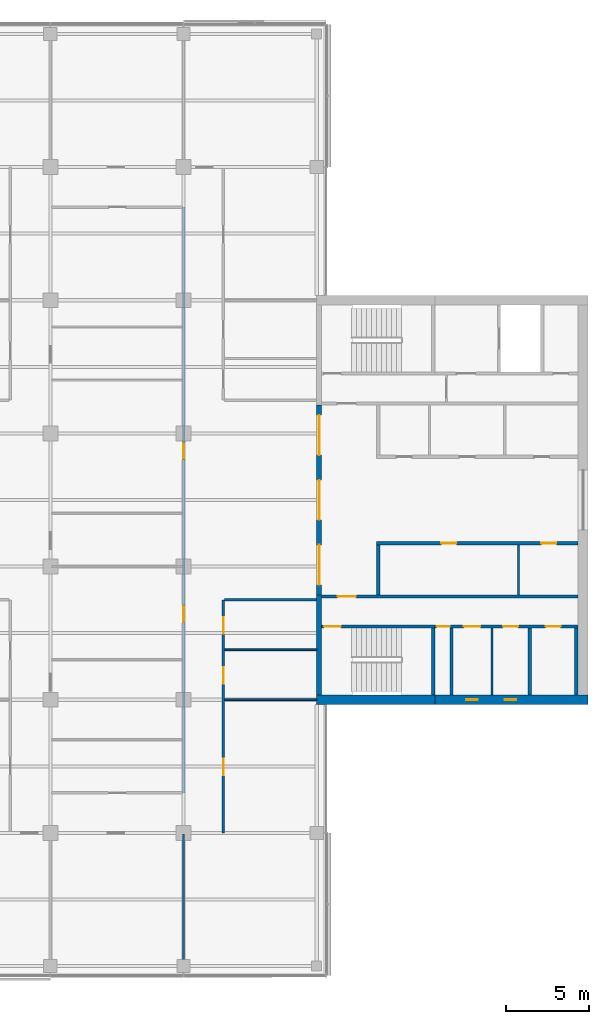
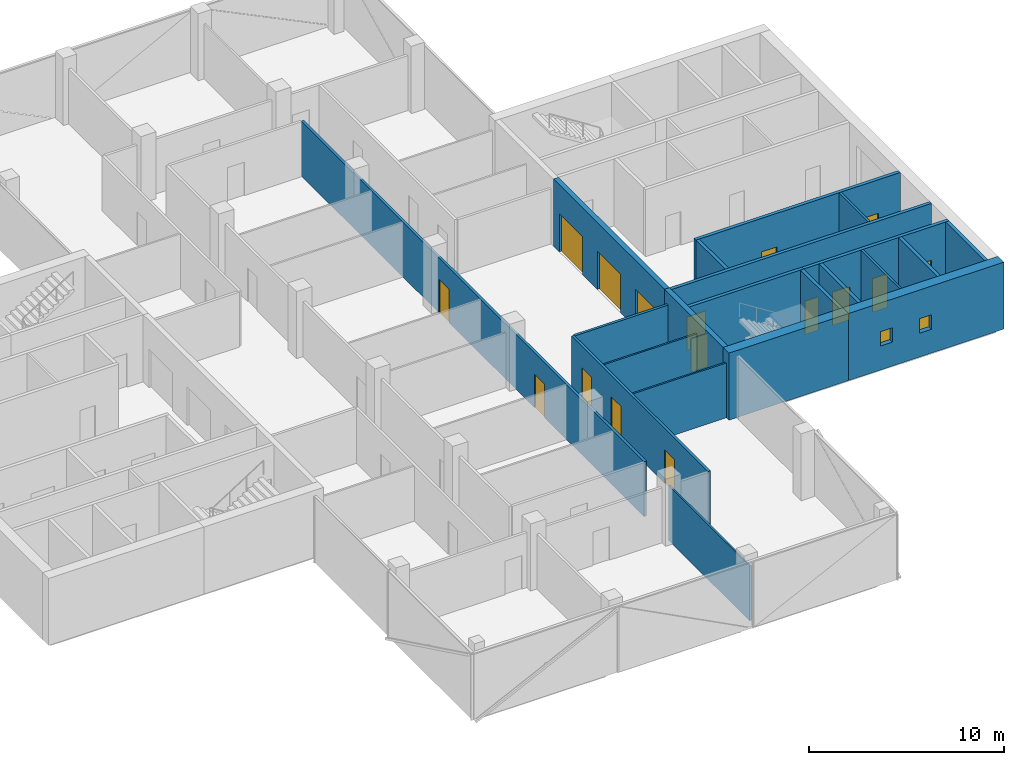
# One storey, part 10 of 15: 21 walls, 16 doors, 2 windows, 18 openings.
"""IFC4 building model written with IfcOpenShell, lengths in metres."""

from ifc_helpers import new_model, si_unit, direction, frame, frame_2d, origin, place, context, subcontext, project, spatial, rectangle, extrude, material, layer, layer_set, constituent, constituent_set, type_object, element, fill, save


model = new_model("IFC4")

# Units and contexts
model_context = context("Model", 3, precision=1e-05, world=origin(), true_north=direction((0.0, 1.0)))
body_context = subcontext(model_context, "Body", "Model", "MODEL_VIEW")
ifc_project = project(units=[si_unit("LENGTHUNIT", "METRE"), si_unit("AREAUNIT", "SQUARE_METRE"), si_unit("VOLUMEUNIT", "CUBIC_METRE"), si_unit("PLANEANGLEUNIT", "RADIAN"), si_unit("MASSUNIT", "GRAM", prefix="KILO")], contexts=[model_context])

# Site, building, storey
site_placement = place(None, origin())
site = spatial("IfcSite", under=ifc_project, at=site_placement, CompositionType="ELEMENT")
building_placement = place(site_placement, origin())
building = spatial("IfcBuilding", under=site, at=building_placement, Name="Crosswind Convention Tower", CompositionType="ELEMENT")
storey_placement = place(building_placement, frame((0.0, 0.0, 199.89990234375)))
storey = spatial("IfcBuildingStorey", under=building, at=storey_placement, Name="L42", CompositionType="ELEMENT", Elevation=199.89990234375)

# Wall
ifc_material_1 = material(Name="Concrete blockwork", Category="masonry")
ifc_layer_1 = layer(ifc_material_1, 0.199951171875)
ifc_layer_set_1 = layer_set([ifc_layer_1], Name="Blockwork partition wall 200")
wall_type_1 = type_object("IfcWallType", Name="Blockwork partition wall 200", PredefinedType="PARTITIONING", material=ifc_layer_set_1)
wall_1_placement = place(storey_placement, frame((145.10009765625, 88.300048828125, 0.0), z_axis=(0.0, 0.0, 1.0), x_axis=(0.0, 1.0, 0.0)))
element("IfcWall", 1, at=wall_1_placement, inside=storey, type_object=wall_type_1, Name="Wall MRSE E L42", PredefinedType="PARTITIONING", context=body_context, shape_type="SweptSolid", body=[
    extrude(rectangle(XDim=4.0, YDim=0.199951171875, at=frame_2d((2.0, 0.0))), origin(), (0.0, 0.0, 1.0), 4.2001953125),
])

# Wall, openings, doors
ifc_material_2 = material(Name="Concrete C50/60", Category="concrete")
ifc_layer_2 = layer(ifc_material_2, 0.300048828125)
ifc_layer_set_2 = layer_set([ifc_layer_2], Name="Concrete C50/60")
wall_type_2 = type_object("IfcWallType", Name="Concrete inner core wall 300", PredefinedType="SHEAR", material=ifc_layer_set_2)
wall_2_placement = place(storey_placement, frame((137.14990234375, 94.300048828125, 0.0), z_axis=(0.0, 0.0, 1.0), x_axis=(0.0, 1.0, 0.0)))
wall_2 = element("IfcWall", 2, at=wall_2_placement, inside=storey, type_object=wall_type_2, Name="Wall SCR E L42", PredefinedType="SHEAR", context=body_context, shape_type="SweptSolid", body=[
    extrude(rectangle(XDim=11.39990234375, YDim=0.300048828125, at=frame_2d((5.699951171875, 0.0))), origin(), (0.0, 0.0, 1.0), 4.2001953125),
])
opening_1_placement = place(wall_2_placement, frame((0.60009765625, 0.0, 0.0)))
opening_1 = element("IfcOpeningElement", 3, at=opening_1_placement, cuts=wall_2, Name="Opening D100", PredefinedType="OPENING", context=body_context, shape_type="SweptSolid", body=[
    extrude(rectangle(XDim=2.39990234375, YDim=2.39990234375, at=frame_2d((1.199951171875, 1.199951171875))), frame((0.0, 0.159912109375, 0.0), z_axis=(0.0, -1.0, 0.0), x_axis=(1.0, 0.0, 0.0)), (0.0, 0.0, 1.0), 0.320068359375),
])
opening_2_placement = place(wall_2_placement, frame((4.5, 0.0, 0.0)))
opening_2 = element("IfcOpeningElement", 4, at=opening_2_placement, cuts=wall_2, Name="Opening D100", PredefinedType="OPENING", context=body_context, shape_type="SweptSolid", body=[
    extrude(rectangle(XDim=2.39990234375, YDim=2.39990234375, at=frame_2d((1.199951171875, 1.199951171875))), frame((0.0, 0.159912109375, 0.0), z_axis=(0.0, -1.0, 0.0), x_axis=(1.0, 0.0, 0.0)), (0.0, 0.0, 1.0), 0.320068359375),
])
opening_3_placement = place(wall_2_placement, frame((8.39990234375, 0.0, 0.0)))
opening_3 = element("IfcOpeningElement", 5, at=opening_3_placement, cuts=wall_2, Name="Opening D100", PredefinedType="OPENING", context=body_context, shape_type="SweptSolid", body=[
    extrude(rectangle(XDim=2.39990234375, YDim=2.39990234375, at=frame_2d((1.199951171875, 1.199951171875))), frame((0.0, 0.159912109375, 0.0), z_axis=(0.0, -1.0, 0.0), x_axis=(1.0, 0.0, 0.0)), (0.0, 0.0, 1.0), 0.320068359375),
])
ifc_material_3 = material(Name="Steel fire door with glazed vision panels", Category="steel")
door_type_1 = type_object("IfcDoorType", Name="Fire-rated double door 2400x2400", OperationType="DOUBLE_DOOR_SINGLE_SWING", PredefinedType="DOOR", material=ifc_material_3)
door_1_placement = place(opening_1_placement, origin())
door_1 = element("IfcDoor", 6, at=door_1_placement, inside=storey, type_object=door_type_1, Name="Lobby door 1 L42", ObjectType="D100", OperationType="DOUBLE_DOOR_SINGLE_SWING", OverallHeight=2.39990234375, OverallWidth=2.39990234375, PredefinedType="DOOR", context=body_context, shape_type="SweptSolid", body=[
    extrude(rectangle(XDim=2.39990234375, YDim=2.39990234375, at=frame_2d((1.199951171875, 1.199951171875))), frame((0.0, 0.02490234375, 0.0), z_axis=(0.0, -1.0, 0.0), x_axis=(1.0, 0.0, 0.0)), (0.0, 0.0, 1.0), 0.050048828125),
])
fill(opening_1, door_1)
door_2_placement = place(opening_2_placement, origin())
door_2 = element("IfcDoor", 7, at=door_2_placement, inside=storey, type_object=door_type_1, Name="Lobby door 2 L42", ObjectType="D100", OperationType="DOUBLE_DOOR_SINGLE_SWING", OverallHeight=2.39990234375, OverallWidth=2.39990234375, PredefinedType="DOOR", context=body_context, shape_type="SweptSolid", body=[
    extrude(rectangle(XDim=2.39990234375, YDim=2.39990234375, at=frame_2d((1.199951171875, 1.199951171875))), frame((0.0, 0.02490234375, 0.0), z_axis=(0.0, -1.0, 0.0), x_axis=(1.0, 0.0, 0.0)), (0.0, 0.0, 1.0), 0.050048828125),
])
fill(opening_2, door_2)
door_3_placement = place(opening_3_placement, origin())
door_3 = element("IfcDoor", 8, at=door_3_placement, inside=storey, type_object=door_type_1, Name="Lobby door 3 L42", ObjectType="D100", OperationType="DOUBLE_DOOR_SINGLE_SWING", OverallHeight=2.39990234375, OverallWidth=2.39990234375, PredefinedType="DOOR", context=body_context, shape_type="SweptSolid", body=[
    extrude(rectangle(XDim=2.39990234375, YDim=2.39990234375, at=frame_2d((1.199951171875, 1.199951171875))), frame((0.0, 0.02490234375, 0.0), z_axis=(0.0, -1.0, 0.0), x_axis=(1.0, 0.0, 0.0)), (0.0, 0.0, 1.0), 0.050048828125),
])
fill(opening_3, door_3)

# Walls
wall_3_placement = place(storey_placement, frame((137.14990234375, 88.300048828125, 0.0), z_axis=(0.0, 0.0, 1.0), x_axis=(0.0, 1.0, 0.0)))
element("IfcWall", 9, at=wall_3_placement, inside=storey, type_object=wall_type_2, Name="Wall EM E L42", PredefinedType="SHEAR", context=body_context, shape_type="SweptSolid", body=[
    extrude(rectangle(XDim=6.0, YDim=0.300048828125, at=frame_2d((3.0, 0.0))), origin(), (0.0, 0.0, 1.0), 4.2001953125),
])
ifc_layer_3 = layer(ifc_material_2, 0.199951171875)
ifc_layer_set_3 = layer_set([ifc_layer_3], Name="Concrete C50/60")
wall_type_3 = type_object("IfcWallType", Name="Concrete shaft and stair wall 200", PredefinedType="SHEAR", material=ifc_layer_set_3)
wall_4_placement = place(storey_placement, frame((140.699951171875, 94.300048828125, 0.0), z_axis=(0.0, 0.0, 1.0), x_axis=(0.0, 1.0, 0.0)))
element("IfcWall", 10, at=wall_4_placement, inside=storey, type_object=wall_type_3, Name="Wall RMEND E L42", PredefinedType="SHEAR", context=body_context, shape_type="SweptSolid", body=[
    extrude(rectangle(XDim=3.0, YDim=0.199951171875, at=frame_2d((1.5, 0.0))), origin(), (0.0, 0.0, 1.0), 4.2001953125),
])

# Wall, openings, doors
wall_5_placement = place(storey_placement, frame((140.60009765625, 97.39990234375, 0.0), z_axis=(0.0, 0.0, 1.0), x_axis=(1.0, 0.0, 0.0)))
wall_5 = element("IfcWall", 11, at=wall_5_placement, inside=storey, type_object=wall_type_3, Name="Wall RMFRONT E L42", PredefinedType="SHEAR", context=body_context, shape_type="SweptSolid", body=[
    extrude(rectangle(XDim=12.099853515625, YDim=0.199951171875, at=frame_2d((6.0498046875, 0.0))), origin(), (0.0, 0.0, 1.0), 4.2001953125),
])
opening_4_placement = place(wall_5_placement, frame((3.8837890625, 0.0, 0.0)))
opening_4 = element("IfcOpeningElement", 12, at=opening_4_placement, cuts=wall_5, Name="Opening D106", PredefinedType="OPENING", context=body_context, shape_type="SweptSolid", body=[
    extrude(rectangle(XDim=0.89990234375, YDim=2.10009765625, at=frame_2d((0.449951171875, 1.050048828125))), frame((0.0, 0.10986328125, 0.0), z_axis=(0.0, -1.0, 0.0), x_axis=(1.0, 0.0, 0.0)), (0.0, 0.0, 1.0), 0.219970703125),
])
opening_5_placement = place(wall_5_placement, frame((9.896240234375, 0.0, 0.0)))
opening_5 = element("IfcOpeningElement", 13, at=opening_5_placement, cuts=wall_5, Name="Opening D106", PredefinedType="OPENING", context=body_context, shape_type="SweptSolid", body=[
    extrude(rectangle(XDim=0.89990234375, YDim=2.10009765625, at=frame_2d((0.449951171875, 1.050048828125))), frame((0.0, 0.10986328125, 0.0), z_axis=(0.0, -1.0, 0.0), x_axis=(1.0, 0.0, 0.0)), (0.0, 0.0, 1.0), 0.219970703125),
])
ifc_material_4 = material(Name="Timber door", Category="wood")
door_type_2 = type_object("IfcDoorType", Name="Single leaf door 900x2100", OperationType="NOTDEFINED", PredefinedType="DOOR", material=ifc_material_4)
door_4_placement = place(opening_4_placement, frame((0.89990234375, 0.0, 0.0), z_axis=(0.0, 0.0, 1.0), x_axis=(-1.0, 0.0, 0.0)))
door_4 = element("IfcDoor", 14, at=door_4_placement, inside=storey, type_object=door_type_2, Name="Door to pantry L42", ObjectType="D106", OperationType="SINGLE_SWING_LEFT", OverallHeight=2.10009765625, OverallWidth=0.89990234375, PredefinedType="DOOR", context=body_context, shape_type="SweptSolid", body=[
    extrude(rectangle(XDim=0.89990234375, YDim=2.10009765625, at=frame_2d((0.449951171875, 1.050048828125))), frame((0.0, 0.02490234375, 0.0), z_axis=(0.0, -1.0, 0.0), x_axis=(1.0, 0.0, 0.0)), (0.0, 0.0, 1.0), 0.050048828125),
])
fill(opening_4, door_4)
door_5_placement = place(opening_5_placement, frame((0.89990234375, 0.0, 0.0), z_axis=(0.0, 0.0, 1.0), x_axis=(-1.0, 0.0, 0.0)))
door_5 = element("IfcDoor", 15, at=door_5_placement, inside=storey, type_object=door_type_2, Name="Door to telecoms room L42", ObjectType="D106", OperationType="SINGLE_SWING_LEFT", OverallHeight=2.10009765625, OverallWidth=0.89990234375, PredefinedType="DOOR", context=body_context, shape_type="SweptSolid", body=[
    extrude(rectangle(XDim=0.89990234375, YDim=2.10009765625, at=frame_2d((0.449951171875, 1.050048828125))), frame((0.0, 0.02490234375, 0.0), z_axis=(0.0, -1.0, 0.0), x_axis=(1.0, 0.0, 0.0)), (0.0, 0.0, 1.0), 0.050048828125),
])
fill(opening_5, door_5)

# Wall, opening, door
wall_6_placement = place(storey_placement, frame((137.300048828125, 94.199951171875, 0.0), z_axis=(0.0, 0.0, 1.0), x_axis=(1.0, 0.0, 0.0)))
wall_6 = element("IfcWall", 16, at=wall_6_placement, inside=storey, type_object=wall_type_3, Name="Wall HM E L42", PredefinedType="SHEAR", context=body_context, shape_type="SweptSolid", body=[
    extrude(rectangle(XDim=15.39990234375, YDim=0.199951171875, at=frame_2d((7.699951171875, 0.0))), origin(), (0.0, 0.0, 1.0), 4.2001953125),
])
opening_6_placement = place(wall_6_placement, frame((0.949951171875, 0.0, 0.0)))
opening_6 = element("IfcOpeningElement", 17, at=opening_6_placement, cuts=wall_6, Name="Opening D104", PredefinedType="OPENING", context=body_context, shape_type="SweptSolid", body=[
    extrude(rectangle(XDim=1.10009765625, YDim=2.10009765625, at=frame_2d((0.550048828125, 1.050048828125))), frame((0.0, 0.10986328125, 0.0), z_axis=(0.0, -1.0, 0.0), x_axis=(1.0, 0.0, 0.0)), (0.0, 0.0, 1.0), 0.219970703125),
])
ifc_material_5 = material(Name="Steel fire door", Category="steel")
door_type_3 = type_object("IfcDoorType", Name="Fire-rated single door 1100x2100", OperationType="NOTDEFINED", PredefinedType="DOOR", material=ifc_material_5)
door_6_placement = place(opening_6_placement, origin())
door_6 = element("IfcDoor", 18, at=door_6_placement, inside=storey, type_object=door_type_3, Name="Corridor door L42", ObjectType="D104", OperationType="SINGLE_SWING_LEFT", OverallHeight=2.10009765625, OverallWidth=1.10009765625, PredefinedType="DOOR", context=body_context, shape_type="SweptSolid", body=[
    extrude(rectangle(XDim=1.10009765625, YDim=2.10009765625, at=frame_2d((0.550048828125, 1.050048828125))), frame((0.0, 0.02490234375, 0.0), z_axis=(0.0, -1.0, 0.0), x_axis=(1.0, 0.0, 0.0)), (0.0, 0.0, 1.0), 0.050048828125),
])
fill(opening_6, door_6)

# Walls
for number, where, z_axis, x_axis, name in (
    (19, (144.0, 88.300048828125, 0.0), (0.0, 0.0, 1.0), (0.0, 1.0, 0.0), "Wall MSE E L42"),
    (20, (149.800048828125, 88.300048828125, 0.0), (0.0, 0.0, 1.0), (0.0, 1.0, 0.0), "Wall MFSW E L42"),
    (21, (152.60009765625, 88.300048828125, 0.0), (0.0, 0.0, 1.0), (0.0, 1.0, 0.0), "Wall MFSE E L42"),
):
    element("IfcWall", number, at=place(storey_placement, frame(where, z_axis=z_axis, x_axis=x_axis)), inside=storey, type_object=wall_type_3, Name=name, PredefinedType="SHEAR", context=body_context, shape_type="SweptSolid", body=[
        extrude(rectangle(XDim=4.0, YDim=0.199951171875, at=frame_2d((2.0, 0.0))), origin(), (0.0, 0.0, 1.0), 4.2001953125),
    ])

# Wall, opening, door
wall_7_placement = place(storey_placement, frame((137.300048828125, 92.39990234375, 0.0), z_axis=(0.0, 0.0, 1.0), x_axis=(1.0, 0.0, 0.0)))
wall_7 = element("IfcWall", 22, at=wall_7_placement, inside=storey, type_object=wall_type_3, Name="Wall MCW E L42", PredefinedType="SHEAR", context=body_context, shape_type="SweptSolid", body=[
    extrude(rectangle(XDim=6.800048828125, YDim=0.199951171875, at=frame_2d((3.39990234375, 0.0))), origin(), (0.0, 0.0, 1.0), 4.2001953125),
])
opening_7_placement = place(wall_7_placement, frame((0.14990234375, 0.0, 0.0)))
opening_7 = element("IfcOpeningElement", 23, at=opening_7_placement, cuts=wall_7, Name="Opening D103", PredefinedType="OPENING", context=body_context, shape_type="SweptSolid", body=[
    extrude(rectangle(XDim=1.0, YDim=2.10009765625, at=frame_2d((0.5, 1.050048828125))), frame((0.0, 0.10986328125, 0.0), z_axis=(0.0, -1.0, 0.0), x_axis=(1.0, 0.0, 0.0)), (0.0, 0.0, 1.0), 0.219970703125),
])
door_type_4 = type_object("IfcDoorType", Name="Fire-rated single door 1000x2100", OperationType="NOTDEFINED", PredefinedType="DOOR", material=ifc_material_5)
door_7_placement = place(opening_7_placement, frame((1.0, 0.0, 0.0), z_axis=(0.0, 0.0, 1.0), x_axis=(-1.0, 0.0, 0.0)))
door_7 = element("IfcDoor", 24, at=door_7_placement, inside=storey, type_object=door_type_4, Name="Stair ST2 door L42", ObjectType="D103", OperationType="SINGLE_SWING_RIGHT", OverallHeight=2.10009765625, OverallWidth=1.0, PredefinedType="DOOR", context=body_context, shape_type="SweptSolid", body=[
    extrude(rectangle(XDim=1.0, YDim=2.10009765625, at=frame_2d((0.5, 1.050048828125))), frame((0.0, 0.02490234375, 0.0), z_axis=(0.0, -1.0, 0.0), x_axis=(1.0, 0.0, 0.0)), (0.0, 0.0, 1.0), 0.050048828125),
])
fill(opening_7, door_7)

# Wall, openings, doors
wall_8_placement = place(storey_placement, frame((144.10009765625, 92.39990234375, 0.0), z_axis=(0.0, 0.0, 1.0), x_axis=(1.0, 0.0, 0.0)))
wall_8 = element("IfcWall", 25, at=wall_8_placement, inside=storey, type_object=wall_type_3, Name="Wall MCX E L42", PredefinedType="SHEAR", context=body_context, shape_type="SweptSolid", body=[
    extrude(rectangle(XDim=8.599853515625, YDim=0.199951171875, at=frame_2d((4.2998046875, 0.0))), origin(), (0.0, 0.0, 1.0), 4.2001953125),
])
opening_8_placement = place(wall_8_placement, frame((0.10009765625, 0.0, 0.0)))
opening_8 = element("IfcOpeningElement", 26, at=opening_8_placement, cuts=wall_8, Name="Opening D105", PredefinedType="OPENING", context=body_context, shape_type="SweptSolid", body=[
    extrude(rectangle(XDim=0.800048828125, YDim=2.10009765625, at=frame_2d((0.39990234375, 1.050048828125))), frame((0.0, 0.10986328125, 0.0), z_axis=(0.0, -1.0, 0.0), x_axis=(1.0, 0.0, 0.0)), (0.0, 0.0, 1.0), 0.219970703125),
])
opening_9_placement = place(wall_8_placement, frame((1.73876953125, 0.0, 0.0)))
opening_9 = element("IfcOpeningElement", 27, at=opening_9_placement, cuts=wall_8, Name="Opening D103", PredefinedType="OPENING", context=body_context, shape_type="SweptSolid", body=[
    extrude(rectangle(XDim=1.0, YDim=2.10009765625, at=frame_2d((0.5, 1.050048828125))), frame((0.0, 0.10986328125, 0.0), z_axis=(0.0, -1.0, 0.0), x_axis=(1.0, 0.0, 0.0)), (0.0, 0.0, 1.0), 0.219970703125),
])
opening_10_placement = place(wall_8_placement, frame((4.101318359375, 0.0, 0.0)))
opening_10 = element("IfcOpeningElement", 28, at=opening_10_placement, cuts=wall_8, Name="Opening D106", PredefinedType="OPENING", context=body_context, shape_type="SweptSolid", body=[
    extrude(rectangle(XDim=0.89990234375, YDim=2.10009765625, at=frame_2d((0.449951171875, 1.050048828125))), frame((0.0, 0.10986328125, 0.0), z_axis=(0.0, -1.0, 0.0), x_axis=(1.0, 0.0, 0.0)), (0.0, 0.0, 1.0), 0.219970703125),
])
opening_11_placement = place(wall_8_placement, frame((6.64990234375, 0.0, 0.0)))
opening_11 = element("IfcOpeningElement", 29, at=opening_11_placement, cuts=wall_8, Name="Opening D106", PredefinedType="OPENING", context=body_context, shape_type="SweptSolid", body=[
    extrude(rectangle(XDim=0.89990234375, YDim=2.10009765625, at=frame_2d((0.449951171875, 1.050048828125))), frame((0.0, 0.10986328125, 0.0), z_axis=(0.0, -1.0, 0.0), x_axis=(1.0, 0.0, 0.0)), (0.0, 0.0, 1.0), 0.219970703125),
])
door_8_placement = place(opening_9_placement, frame((1.0, 0.0, 0.0), z_axis=(0.0, 0.0, 1.0), x_axis=(-1.0, 0.0, 0.0)))
door_8 = element("IfcDoor", 30, at=door_8_placement, inside=storey, type_object=door_type_4, Name="Door to accessible wc L42", ObjectType="D103", OperationType="SINGLE_SWING_LEFT", OverallHeight=2.10009765625, OverallWidth=1.0, PredefinedType="DOOR", context=body_context, shape_type="SweptSolid", body=[
    extrude(rectangle(XDim=1.0, YDim=2.10009765625, at=frame_2d((0.5, 1.050048828125))), frame((0.0, 0.02490234375, 0.0), z_axis=(0.0, -1.0, 0.0), x_axis=(1.0, 0.0, 0.0)), (0.0, 0.0, 1.0), 0.050048828125),
])
fill(opening_9, door_8)
door_type_5 = type_object("IfcDoorType", Name="Riser access door 800x2100", OperationType="NOTDEFINED", PredefinedType="DOOR", material=ifc_material_5)
door_9_placement = place(opening_8_placement, frame((0.800048828125, 0.0, 0.0), z_axis=(0.0, 0.0, 1.0), x_axis=(-1.0, 0.0, 0.0)))
door_9 = element("IfcDoor", 31, at=door_9_placement, inside=storey, type_object=door_type_5, Name="Riser door L42", ObjectType="D105", OperationType="SINGLE_SWING_LEFT", OverallHeight=2.10009765625, OverallWidth=0.800048828125, PredefinedType="DOOR", context=body_context, shape_type="SweptSolid", body=[
    extrude(rectangle(XDim=0.800048828125, YDim=2.10009765625, at=frame_2d((0.39990234375, 1.050048828125))), frame((0.0, 0.02490234375, 0.0), z_axis=(0.0, -1.0, 0.0), x_axis=(1.0, 0.0, 0.0)), (0.0, 0.0, 1.0), 0.050048828125),
])
fill(opening_8, door_9)
door_10_placement = place(opening_10_placement, frame((0.89990234375, 0.0, 0.0), z_axis=(0.0, 0.0, 1.0), x_axis=(-1.0, 0.0, 0.0)))
door_10 = element("IfcDoor", 32, at=door_10_placement, inside=storey, type_object=door_type_2, Name="Door to wc L42", ObjectType="D106", OperationType="SINGLE_SWING_LEFT", OverallHeight=2.10009765625, OverallWidth=0.89990234375, PredefinedType="DOOR", context=body_context, shape_type="SweptSolid", body=[
    extrude(rectangle(XDim=0.89990234375, YDim=2.10009765625, at=frame_2d((0.449951171875, 1.050048828125))), frame((0.0, 0.02490234375, 0.0), z_axis=(0.0, -1.0, 0.0), x_axis=(1.0, 0.0, 0.0)), (0.0, 0.0, 1.0), 0.050048828125),
])
fill(opening_10, door_10)
door_11_placement = place(opening_11_placement, frame((0.89990234375, 0.0, 0.0), z_axis=(0.0, 0.0, 1.0), x_axis=(-1.0, 0.0, 0.0)))
door_11 = element("IfcDoor", 33, at=door_11_placement, inside=storey, type_object=door_type_2, Name="Door to wc L42", ObjectType="D106", OperationType="SINGLE_SWING_LEFT", OverallHeight=2.10009765625, OverallWidth=0.89990234375, PredefinedType="DOOR", context=body_context, shape_type="SweptSolid", body=[
    extrude(rectangle(XDim=0.89990234375, YDim=2.10009765625, at=frame_2d((0.449951171875, 1.050048828125))), frame((0.0, 0.02490234375, 0.0), z_axis=(0.0, -1.0, 0.0), x_axis=(1.0, 0.0, 0.0)), (0.0, 0.0, 1.0), 0.050048828125),
])
fill(opening_11, door_11)

# Walls
ifc_material_6 = material(Name="Gypsum plasterboard partition", Category="gypsum")
ifc_layer_4 = layer(ifc_material_6, 0.125)
ifc_layer_set_4 = layer_set([ifc_layer_4], Name="Drywall partition wall 125")
wall_type_4 = type_object("IfcWallType", Name="Drywall partition wall 125", PredefinedType="PARTITIONING", material=ifc_layer_set_4)
wall_9_placement = place(storey_placement, frame((149.1298828125, 94.300048828125, 0.0), z_axis=(0.0, 0.0, 1.0), x_axis=(0.0, 1.0, 0.0)))
element("IfcWall", 34, at=wall_9_placement, inside=storey, type_object=wall_type_4, Name="Wall RMP1 E L42", PredefinedType="PARTITIONING", context=body_context, shape_type="SweptSolid", body=[
    extrude(rectangle(XDim=3.0, YDim=0.125, at=frame_2d((1.5, 0.0))), origin(), (0.0, 0.0, 1.0), 4.2001953125),
])
wall_10_placement = place(storey_placement, frame((147.5400390625, 88.300048828125, 0.0), z_axis=(0.0, 0.0, 1.0), x_axis=(0.0, 1.0, 0.0)))
element("IfcWall", 35, at=wall_10_placement, inside=storey, type_object=wall_type_4, Name="Wall MWP1 E L42", PredefinedType="PARTITIONING", context=body_context, shape_type="SweptSolid", body=[
    extrude(rectangle(XDim=4.0, YDim=0.125, at=frame_2d((2.0, 0.0))), origin(), (0.0, 0.0, 1.0), 4.2001953125),
])
ifc_material_7 = material(Name="Plasterboard partition", Category="gypsum")
ifc_layer_5 = layer(ifc_material_7, 0.10009765625)
ifc_layer_set_5 = layer_set([ifc_layer_5], Name="PARTITION 100 METAL STUD")
wall_type_5 = type_object("IfcWallType", Name="PARTITION 100 METAL STUD", PredefinedType="PARTITIONING", material=ifc_layer_set_5)
wall_11_placement = place(storey_placement, frame((129.0, 71.6298828125, 0.0), z_axis=(0.0, 0.0, 1.0), x_axis=(0.0, 1.0, 0.0)))
element("IfcWall", 36, at=wall_11_placement, inside=storey, type_object=wall_type_5, Name="Partition wall WT40", PredefinedType="PARTITIONING", context=body_context, shape_type="SweptSolid", body=[
    extrude(rectangle(XDim=8.295166015625, YDim=0.10009765625, at=frame_2d((4.1474609375, 0.0))), origin(), (0.0, 0.0, 1.0), 3.43994140625),
])
for number, where, z_axis, x_axis, name in (
    (37, (131.47509765625, 88.0, 0.0), (0.0, 0.0, 1.0), (1.0, 0.0, 0.0), "Partition wall WT40"),
    (38, (131.47509765625, 91.0, 0.0), (0.0, 0.0, 1.0), (1.0, 0.0, 0.0), "Partition wall WT40"),
):
    element("IfcWall", number, at=place(storey_placement, frame(where, z_axis=z_axis, x_axis=x_axis)), inside=storey, type_object=wall_type_5, Name=name, PredefinedType="PARTITIONING", context=body_context, shape_type="SweptSolid", body=[
        extrude(rectangle(XDim=5.52490234375, YDim=0.10009765625, at=frame_2d((2.762451171875, 0.0))), origin(), (0.0, 0.0, 1.0), 3.43994140625),
    ])

# Wall, openings, doors
ifc_material_8 = material(Name="Fire-board partition with mineral wool", Category="gypsum")
ifc_layer_6 = layer(ifc_material_8, 0.14990234375)
ifc_layer_set_6 = layer_set([ifc_layer_6], Name="TENANCY WALL 150 TWO-HOUR BOARD")
wall_type_6 = type_object("IfcWallType", Name="TENANCY WALL 150 TWO-HOUR BOARD", PredefinedType="PARTITIONING", material=ifc_layer_set_6)
wall_12_placement = place(storey_placement, frame((129.0, 82.39990234375, 0.0), z_axis=(0.0, 0.0, 1.0), x_axis=(0.0, 1.0, 0.0)))
wall_12 = element("IfcWall", 39, at=wall_12_placement, inside=storey, type_object=wall_type_6, Name="Tenancy wall WT41", PredefinedType="PARTITIONING", context=body_context, shape_type="SweptSolid", body=[
    extrude(rectangle(XDim=35.2001953125, YDim=0.14990234375, at=frame_2d((17.60009765625, 0.0))), origin(), (0.0, 0.0, 1.0), 3.43994140625),
])
opening_12_placement = place(wall_12_placement, frame((10.25, 0.0, 0.0)))
opening_12 = element("IfcOpeningElement", 40, at=opening_12_placement, cuts=wall_12, Name="Opening L42-66", PredefinedType="OPENING", context=body_context, shape_type="SweptSolid", body=[
    extrude(rectangle(XDim=1.0, YDim=2.10009765625, at=frame_2d((0.5, 1.050048828125))), frame((0.0, 0.0849609375, 0.0), z_axis=(0.0, -1.0, 0.0), x_axis=(1.0, 0.0, 0.0)), (0.0, 0.0, 1.0), 0.169921875),
])
opening_13_placement = place(wall_12_placement, frame((20.050048828125, 0.0, 0.0)))
opening_13 = element("IfcOpeningElement", 41, at=opening_13_placement, cuts=wall_12, Name="Opening L42-68", PredefinedType="OPENING", context=body_context, shape_type="SweptSolid", body=[
    extrude(rectangle(XDim=1.0, YDim=2.10009765625, at=frame_2d((0.5, 1.050048828125))), frame((0.0, 0.0849609375, 0.0), z_axis=(0.0, -1.0, 0.0), x_axis=(1.0, 0.0, 0.0)), (0.0, 0.0, 1.0), 0.169921875),
])
ifc_material_9 = material(Name="Timber fire door", Category="wood")
door_type_6 = type_object("IfcDoorType", Name="TENANCY ENTRANCE DOOR 1000X2100 FD30S", OperationType="NOTDEFINED", PredefinedType="DOOR", material=ifc_material_9)
door_12_placement = place(opening_12_placement, origin())
door_12 = element("IfcDoor", 42, at=door_12_placement, inside=storey, type_object=door_type_6, Name="Door L42-66", ObjectType="D41", OperationType="SINGLE_SWING_RIGHT", OverallHeight=2.10009765625, OverallWidth=1.0, PredefinedType="DOOR", context=body_context, shape_type="SweptSolid", body=[
    extrude(rectangle(XDim=1.0, YDim=2.10009765625, at=frame_2d((0.5, 1.050048828125))), frame((0.0, 0.02490234375, 0.0), z_axis=(0.0, -1.0, 0.0), x_axis=(1.0, 0.0, 0.0)), (0.0, 0.0, 1.0), 0.050048828125),
])
fill(opening_12, door_12)
door_13_placement = place(opening_13_placement, origin())
door_13 = element("IfcDoor", 43, at=door_13_placement, inside=storey, type_object=door_type_6, Name="Door L42-68", ObjectType="D41", OperationType="SINGLE_SWING_RIGHT", OverallHeight=2.10009765625, OverallWidth=1.0, PredefinedType="DOOR", context=body_context, shape_type="SweptSolid", body=[
    extrude(rectangle(XDim=1.0, YDim=2.10009765625, at=frame_2d((0.5, 1.050048828125))), frame((0.0, 0.02490234375, 0.0), z_axis=(0.0, -1.0, 0.0), x_axis=(1.0, 0.0, 0.0)), (0.0, 0.0, 1.0), 0.050048828125),
])
fill(opening_13, door_13)

wall_13_placement = place(storey_placement, frame((131.39990234375, 80.0, 0.0), z_axis=(0.0, 0.0, 1.0), x_axis=(0.0, 1.0, 0.0)))
wall_13 = element("IfcWall", 44, at=wall_13_placement, inside=storey, type_object=wall_type_6, Name="Tenancy wall WT41", PredefinedType="PARTITIONING", context=body_context, shape_type="SweptSolid", body=[
    extrude(rectangle(XDim=14.0, YDim=0.14990234375, at=frame_2d((7.0, 0.0))), origin(), (0.0, 0.0, 1.0), 3.43994140625),
])
opening_14_placement = place(wall_13_placement, frame((11.949951171875, 0.0, 0.0)))
opening_14 = element("IfcOpeningElement", 45, at=opening_14_placement, cuts=wall_13, Name="Opening L42-53", PredefinedType="OPENING", context=body_context, shape_type="SweptSolid", body=[
    extrude(rectangle(XDim=1.0, YDim=2.10009765625, at=frame_2d((0.5, 1.050048828125))), frame((0.0, 0.0849609375, 0.0), z_axis=(0.0, -1.0, 0.0), x_axis=(1.0, 0.0, 0.0)), (0.0, 0.0, 1.0), 0.169921875),
])
opening_15_placement = place(wall_13_placement, frame((8.949951171875, 0.0, 0.0)))
opening_15 = element("IfcOpeningElement", 46, at=opening_15_placement, cuts=wall_13, Name="Opening L42-54", PredefinedType="OPENING", context=body_context, shape_type="SweptSolid", body=[
    extrude(rectangle(XDim=1.0, YDim=2.10009765625, at=frame_2d((0.5, 1.050048828125))), frame((0.0, 0.0849609375, 0.0), z_axis=(0.0, -1.0, 0.0), x_axis=(1.0, 0.0, 0.0)), (0.0, 0.0, 1.0), 0.169921875),
])
opening_16_placement = place(wall_13_placement, frame((3.449951171875, 0.0, 0.0)))
opening_16 = element("IfcOpeningElement", 47, at=opening_16_placement, cuts=wall_13, Name="Opening L42-55", PredefinedType="OPENING", context=body_context, shape_type="SweptSolid", body=[
    extrude(rectangle(XDim=1.0, YDim=2.10009765625, at=frame_2d((0.5, 1.050048828125))), frame((0.0, 0.0849609375, 0.0), z_axis=(0.0, -1.0, 0.0), x_axis=(1.0, 0.0, 0.0)), (0.0, 0.0, 1.0), 0.169921875),
])
door_14_placement = place(opening_14_placement, frame((1.0, 0.0, 0.0), z_axis=(0.0, 0.0, 1.0), x_axis=(-1.0, 0.0, 0.0)))
door_14 = element("IfcDoor", 48, at=door_14_placement, inside=storey, type_object=door_type_6, Name="Door L42-53", ObjectType="D41", OperationType="SINGLE_SWING_RIGHT", OverallHeight=2.10009765625, OverallWidth=1.0, PredefinedType="DOOR", context=body_context, shape_type="SweptSolid", body=[
    extrude(rectangle(XDim=1.0, YDim=2.10009765625, at=frame_2d((0.5, 1.050048828125))), frame((0.0, 0.02490234375, 0.0), z_axis=(0.0, -1.0, 0.0), x_axis=(1.0, 0.0, 0.0)), (0.0, 0.0, 1.0), 0.050048828125),
])
fill(opening_14, door_14)
door_15_placement = place(opening_15_placement, frame((1.0, 0.0, 0.0), z_axis=(0.0, 0.0, 1.0), x_axis=(-1.0, 0.0, 0.0)))
door_15 = element("IfcDoor", 49, at=door_15_placement, inside=storey, type_object=door_type_6, Name="Door L42-54", ObjectType="D41", OperationType="SINGLE_SWING_RIGHT", OverallHeight=2.10009765625, OverallWidth=1.0, PredefinedType="DOOR", context=body_context, shape_type="SweptSolid", body=[
    extrude(rectangle(XDim=1.0, YDim=2.10009765625, at=frame_2d((0.5, 1.050048828125))), frame((0.0, 0.02490234375, 0.0), z_axis=(0.0, -1.0, 0.0), x_axis=(1.0, 0.0, 0.0)), (0.0, 0.0, 1.0), 0.050048828125),
])
fill(opening_15, door_15)
door_16_placement = place(opening_16_placement, frame((1.0, 0.0, 0.0), z_axis=(0.0, 0.0, 1.0), x_axis=(-1.0, 0.0, 0.0)))
door_16 = element("IfcDoor", 50, at=door_16_placement, inside=storey, type_object=door_type_6, Name="Door L42-55", ObjectType="D41", OperationType="SINGLE_SWING_LEFT", OverallHeight=2.10009765625, OverallWidth=1.0, PredefinedType="DOOR", context=body_context, shape_type="SweptSolid", body=[
    extrude(rectangle(XDim=1.0, YDim=2.10009765625, at=frame_2d((0.5, 1.050048828125))), frame((0.0, 0.02490234375, 0.0), z_axis=(0.0, -1.0, 0.0), x_axis=(1.0, 0.0, 0.0)), (0.0, 0.0, 1.0), 0.050048828125),
])
fill(opening_16, door_16)

# Walls
wall_14_placement = place(storey_placement, frame((131.47509765625, 94.0, 0.0), z_axis=(0.0, 0.0, 1.0), x_axis=(1.0, 0.0, 0.0)))
element("IfcWall", 51, at=wall_14_placement, inside=storey, type_object=wall_type_6, Name="Tenancy wall WT41", PredefinedType="PARTITIONING", context=body_context, shape_type="SweptSolid", body=[
    extrude(rectangle(XDim=5.52490234375, YDim=0.14990234375, at=frame_2d((2.762451171875, 0.0))), origin(), (0.0, 0.0, 1.0), 3.43994140625),
])
ifc_material_10 = material(Name="Concrete C60/75", Category="concrete")
ifc_constituent_1 = constituent(ifc_material_10, Name="Structure")
ifc_material_11 = material(Name="Terracotta rainscreen", Category="ceramic")
ifc_constituent_2 = constituent(ifc_material_11, Name="Facing")
ifc_constituent_set = constituent_set(constituents=[ifc_constituent_1, ifc_constituent_2], Name="Concrete C60/75, Terracotta rainscreen")
wall_type_7 = type_object("IfcWallType", Name="Terracotta rainscreen on concrete core wall 600", PredefinedType="SHEAR", material=ifc_constituent_set)
wall_15_placement = place(storey_placement, frame((137.0, 88.0, 0.0), z_axis=(0.0, 0.0, 1.0), x_axis=(1.0, 0.0, 0.0)))
element("IfcWall", 52, at=wall_15_placement, inside=storey, type_object=wall_type_7, Name="Wall S1 E L42", PredefinedType="SHEAR", context=body_context, shape_type="SweptSolid", body=[
    extrude(rectangle(XDim=7.10009765625, YDim=0.60009765625, at=frame_2d((3.550048828125, 0.0))), origin(), (0.0, 0.0, 1.0), 4.2001953125),
])

# Wall, openings, windows
wall_16_placement = place(storey_placement, frame((144.10009765625, 88.0, 0.0), z_axis=(0.0, 0.0, 1.0), x_axis=(1.0, 0.0, 0.0)))
wall_16 = element("IfcWall", 53, at=wall_16_placement, inside=storey, type_object=wall_type_7, Name="Wall S2 E L42", PredefinedType="SHEAR", context=body_context, shape_type="SweptSolid", body=[
    extrude(rectangle(XDim=9.199951171875, YDim=0.60009765625, at=frame_2d((4.60009765625, 0.0))), origin(), (0.0, 0.0, 1.0), 4.2001953125),
])
opening_17_placement = place(wall_16_placement, frame((1.888671875, 0.0, 1.5)))
opening_17 = element("IfcOpeningElement", 54, at=opening_17_placement, cuts=wall_16, Name="Opening W2", PredefinedType="OPENING", context=body_context, shape_type="SweptSolid", body=[
    extrude(rectangle(XDim=0.699951171875, YDim=0.89990234375, at=frame_2d((0.35009765625, 0.449951171875))), frame((0.0, 0.31005859375, 0.0), z_axis=(0.0, -1.0, 0.0), x_axis=(1.0, 0.0, 0.0)), (0.0, 0.0, 1.0), 0.6201171875),
])
opening_18_placement = place(wall_16_placement, frame((4.201171875, 0.0, 1.5)))
opening_18 = element("IfcOpeningElement", 55, at=opening_18_placement, cuts=wall_16, Name="Opening W2", PredefinedType="OPENING", context=body_context, shape_type="SweptSolid", body=[
    extrude(rectangle(XDim=0.699951171875, YDim=0.89990234375, at=frame_2d((0.35009765625, 0.449951171875))), frame((0.0, 0.31005859375, 0.0), z_axis=(0.0, -1.0, 0.0), x_axis=(1.0, 0.0, 0.0)), (0.0, 0.0, 1.0), 0.6201171875),
])
ifc_material_12 = material(Name="Obscure glass in aluminium frame", Category="aluminium")
window_type = type_object("IfcWindowType", Name="WC window 700x900", PartitioningType="SINGLE_PANEL", PredefinedType="WINDOW", material=ifc_material_12)
window_1_placement = place(opening_17_placement, origin())
window_1 = element("IfcWindow", 56, at=window_1_placement, inside=storey, type_object=window_type, Name="WC window L42", ObjectType="W2", OverallHeight=0.89990234375, OverallWidth=0.699951171875, PartitioningType="SINGLE_PANEL", PredefinedType="WINDOW", context=body_context, shape_type="SweptSolid", body=[
    extrude(rectangle(XDim=0.699951171875, YDim=0.89990234375, at=frame_2d((0.35009765625, 0.449951171875))), frame((0.0, 0.030029296875, 0.0), z_axis=(0.0, -1.0, 0.0), x_axis=(1.0, 0.0, 0.0)), (0.0, 0.0, 1.0), 0.06005859375),
])
fill(opening_17, window_1)
window_2_placement = place(opening_18_placement, origin())
window_2 = element("IfcWindow", 57, at=window_2_placement, inside=storey, type_object=window_type, Name="WC window L42", ObjectType="W2", OverallHeight=0.89990234375, OverallWidth=0.699951171875, PartitioningType="SINGLE_PANEL", PredefinedType="WINDOW", context=body_context, shape_type="SweptSolid", body=[
    extrude(rectangle(XDim=0.699951171875, YDim=0.89990234375, at=frame_2d((0.35009765625, 0.449951171875))), frame((0.0, 0.030029296875, 0.0), z_axis=(0.0, -1.0, 0.0), x_axis=(1.0, 0.0, 0.0)), (0.0, 0.0, 1.0), 0.06005859375),
])
fill(opening_18, window_2)

save(model, "model.ifc")
